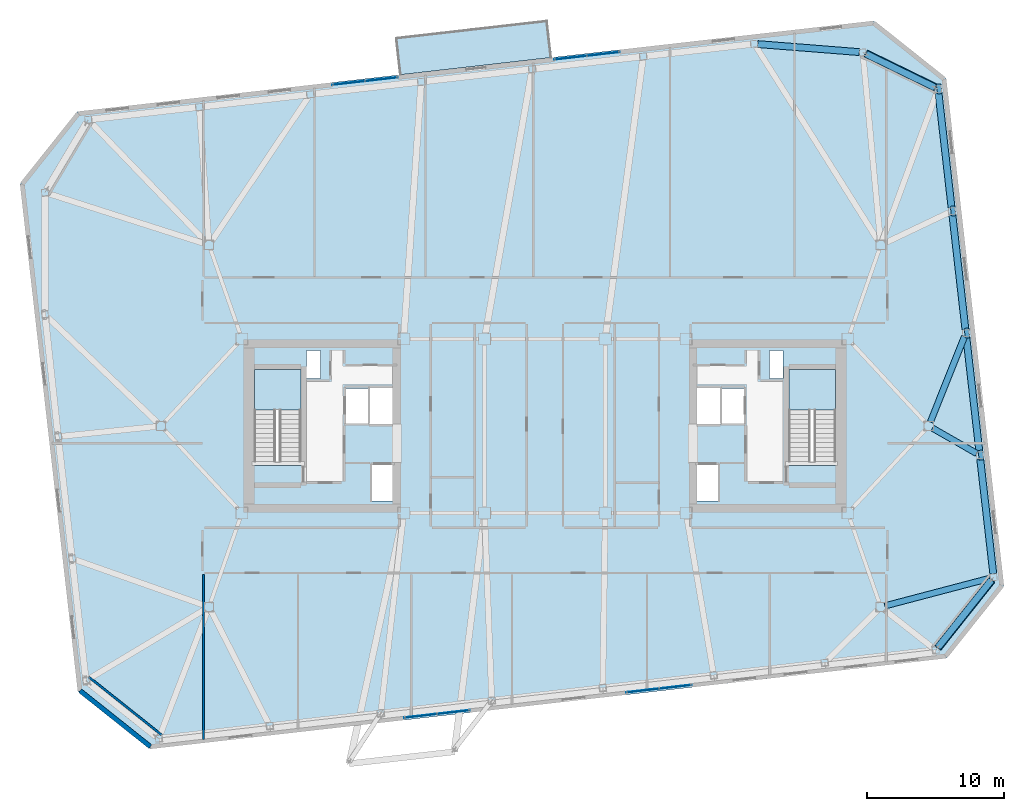
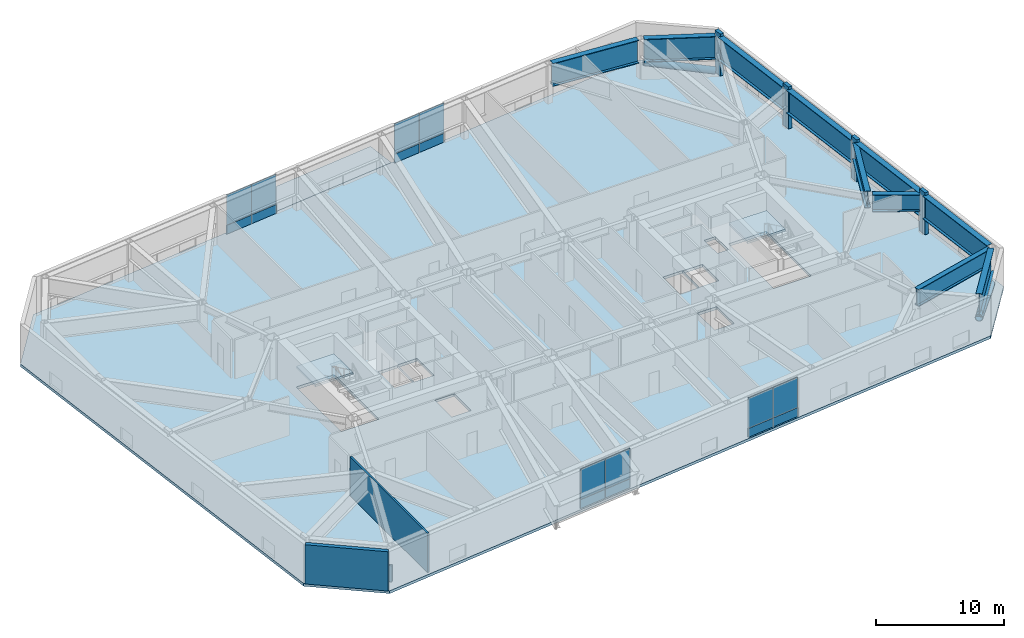
# One storey, part 11 of 20: 16 plates, 10 beams, 6 members, 4 slabs, 3 walls, 6 elements without a shape of their own.
"""IFC4 building model written with IfcOpenShell, lengths in metres."""

from ifc_helpers import new_model, si_unit, direction, frame, frame_2d, origin, origin_2d, place, context, subcontext, project, spatial, polyline, rectangle, hollow_circle, i_section, outline, extrude, material, layer, layer_set, material_profile, profile_set, type_object, element, aggregate, save


model = new_model("IFC4")

# Units and contexts
model_context = context("Model", 3, precision=1e-05, world=origin(), true_north=direction((0.0, 1.0)))
body_context = subcontext(model_context, "Body", "Model", "MODEL_VIEW")
ifc_project = project(units=[si_unit("LENGTHUNIT", "METRE"), si_unit("AREAUNIT", "SQUARE_METRE"), si_unit("VOLUMEUNIT", "CUBIC_METRE"), si_unit("PLANEANGLEUNIT", "RADIAN"), si_unit("MASSUNIT", "GRAM", prefix="KILO")], contexts=[model_context])

# Site, building, storey
site_placement = place(None, origin())
site = spatial("IfcSite", under=ifc_project, at=site_placement, CompositionType="ELEMENT")
building_placement = place(site_placement, origin())
building = spatial("IfcBuilding", under=site, at=building_placement, Name="Tavrogorsk Clinical Tower", CompositionType="ELEMENT")
storey_placement = place(building_placement, frame((0.0, 0.0, 214.199951171875)))
storey = spatial("IfcBuildingStorey", under=building, at=storey_placement, Name="L49", CompositionType="ELEMENT", Elevation=214.199951171875)

# Members
ifc_material_1 = material(Name="Structural steel S440", Category="steel")
ifc_material_profile_1 = material_profile(ifc_material_1, hollow_circle(Radius=0.304931640625, WallThickness=0.02490234375, at=origin_2d()), Name="CHS-610x25")
ifc_profile_set_1 = profile_set([ifc_material_profile_1], Name="Structural steel S440")
member_type_1 = type_object("IfcMemberType", Name="ExoBrace_CHS610", PredefinedType="BRACE", material=ifc_profile_set_1)
member_1_placement = place(storey_placement, frame((32.576171875, -11.231689453125, 0.344482421875), z_axis=(-0.613163423379, -0.770848240557, 0.172695125176), x_axis=(0.782606649981, -0.622516531029, 0.0)))
element("IfcMember", 1, at=member_1_placement, inside=storey, type_object=member_type_1, Name="L49 Corner Exoskeleton Brace S8-E1", PredefinedType="BRACE", context=body_context, shape_type="SweptSolid", body=[
    extrude(hollow_circle(Radius=0.304931640625, WallThickness=0.02490234375, at=origin_2d()), origin(), (0.0, 0.0, 1.0), 6.375732421875),
])
member_2_placement = place(storey_placement, frame((28.449462890625, 24.687744140625, 0.349365234375), z_axis=(-0.882235051021, 0.430206188911, 0.191269312157), x_axis=(-0.438298228352, -0.898829607336, 0.0)))
element("IfcMember", 2, at=member_2_placement, inside=storey, type_object=member_type_1, Name="L49 Corner Exoskeleton Brace E5-N1", PredefinedType="BRACE", context=body_context, shape_type="SweptSolid", body=[
    extrude(hollow_circle(Radius=0.304931640625, WallThickness=0.02490234375, at=origin_2d()), origin(), (0.0, 0.0, 1.0), 5.70556640625),
])
ifc_material_2 = material(Name="Precast concrete B45 with limestone cladding", Category="masonry")
ifc_material_profile_2 = material_profile(ifc_material_2, rectangle(XDim=0.320068359375, YDim=0.719970703125, at=origin_2d()), Name="LIMESTONE-FIN-320x720")
ifc_profile_set_2 = profile_set([ifc_material_profile_2], Name="Precast concrete B45 with limestone cladding")
member_type_2 = type_object("IfcMemberType", Name="LimestonePleatFin_320x720", PredefinedType="USERDEFINED", material=ifc_profile_set_2)
for number, where, z_axis, x_axis, name in (
    (3, (31.799560546875, -2.121337890625, 0.0), (0.0, 0.0, 1.0), (0.993571855677, 0.113203213768, 0.0), "L49 E Pleated Stone Fin 1"),
    (4, (30.785400390625, 6.781005859375, 0.0), (0.0, 0.0, 1.0), (0.993571855677, 0.113203213768, 0.0), "L49 E Pleated Stone Fin 2"),
    (5, (29.77099609375, 15.683349609375, 0.0), (0.0, 0.0, 1.0), (0.993571855677, 0.113203213768, 0.0), "L49 E Pleated Stone Fin 3"),
    (6, (28.756591796875, 24.585693359375, 0.0), (0.0, 0.0, 1.0), (0.993571855677, 0.113203213768, 0.0), "L49 E Pleated Stone Fin 4"),
):
    element("IfcMember", number, at=place(storey_placement, frame(where, z_axis=z_axis, x_axis=x_axis)), inside=storey, type_object=member_type_2, Name=name, ObjectType="FIN", PredefinedType="USERDEFINED", context=body_context, shape_type="SweptSolid", body=[
        extrude(rectangle(XDim=0.320068359375, YDim=0.719970703125, at=origin_2d()), origin(), (0.0, 0.0, 1.0), 4.0),
    ])

# Beams
ifc_material_3 = material(Name="Structural steel S440", Category="steel")
ifc_material_profile_3 = material_profile(ifc_material_3, i_section(OverallWidth=0.449951171875, OverallDepth=1.60009765625, WebThickness=0.031982421875, FlangeThickness=0.050048828125, at=origin_2d()), Name="DK-1600x450x32x50")
ifc_profile_set_3 = profile_set([ifc_material_profile_3], Name="Structural steel S440")
beam_type_1 = type_object("IfcBeamType", Name="TransferGirder_DK1600", PredefinedType="USERDEFINED", material=ifc_profile_set_3)
beam_1_placement = place(storey_placement, frame((24.7998046875, -13.12109375, 2.93994140625), z_axis=(0.967072149487, 0.254502372652, 0.0), x_axis=(-0.254502372652, 0.967072149487, 0.0)))
element("IfcBeam", 7, at=beam_1_placement, inside=storey, type_object=beam_type_1, Name="L49 Radial Floor Beam E1", ObjectType="GIRDER", PredefinedType="USERDEFINED", context=body_context, shape_type="SweptSolid", body=[
    extrude(i_section(OverallWidth=0.449951171875, OverallDepth=1.60009765625, WebThickness=0.031982421875, FlangeThickness=0.050048828125, at=origin_2d()), origin(), (0.0, 0.0, 1.0), 7.94677734375),
])
beam_2_placement = place(storey_placement, frame((28.26904296875, -0.154052734375, 2.93994140625), z_axis=(0.867782232017, -0.49694466271, 0.0), x_axis=(0.49694466271, 0.867782232017, 0.0)))
element("IfcBeam", 8, at=beam_2_placement, inside=storey, type_object=beam_type_1, Name="L49 Radial Floor Beam E2", ObjectType="GIRDER", PredefinedType="USERDEFINED", context=body_context, shape_type="SweptSolid", body=[
    extrude(i_section(OverallWidth=0.449951171875, OverallDepth=1.60009765625, WebThickness=0.031982421875, FlangeThickness=0.050048828125, at=origin_2d()), origin(), (0.0, 0.0, 1.0), 3.718994140625),
])
beam_3_placement = place(storey_placement, frame((28.114990234375, 0.287841796875, 2.93994140625), z_axis=(0.371052625529, 0.928611839838, 0.0), x_axis=(-0.928611839838, 0.371052625529, 0.0)))
element("IfcBeam", 9, at=beam_3_placement, inside=storey, type_object=beam_type_1, Name="L49 Radial Floor Beam E3", ObjectType="GIRDER", PredefinedType="USERDEFINED", context=body_context, shape_type="SweptSolid", body=[
    extrude(i_section(OverallWidth=0.449951171875, OverallDepth=1.60009765625, WebThickness=0.031982421875, FlangeThickness=0.050048828125, at=origin_2d()), origin(), (0.0, 0.0, 1.0), 6.724365234375),
])
ifc_material_4 = material(Name="Structural steel S440", Category="steel")
ifc_material_profile_4 = material_profile(ifc_material_4, i_section(OverallWidth=0.5, OverallDepth=2.199951171875, WebThickness=0.035888671875, FlangeThickness=0.054931640625, at=origin_2d()), Name="DK-2200x500x36x55")
ifc_profile_set_4 = profile_set([ifc_material_profile_4], Name="Structural steel S440")
beam_type_2 = type_object("IfcBeamType", Name="TransferGirder_DK2200", PredefinedType="USERDEFINED", material=ifc_profile_set_4)
beam_4_placement = place(storey_placement, frame((28.669189453125, -16.1435546875, 2.64013671875), z_axis=(0.622513813188, 0.782608811853, 0.0), x_axis=(-0.782608811853, 0.622513813188, 0.0)))
element("IfcBeam", 10, at=beam_4_placement, inside=storey, type_object=beam_type_2, Name="L49 Perimeter Spandrel S8-E1", ObjectType="GIRDER", PredefinedType="USERDEFINED", context=body_context, shape_type="SweptSolid", body=[
    extrude(i_section(OverallWidth=0.5, OverallDepth=2.199951171875, WebThickness=0.035888671875, FlangeThickness=0.054931640625, at=origin_2d()), origin(), (0.0, 0.0, 1.0), 6.272216796875),
])
for number, where, z_axis, x_axis, name in (
    (11, (32.705078125, -10.776611328125, 2.64013671875), (-0.113191877531, 0.993573147212, 0.0), (-0.993573147212, -0.113191877531, 0.0), "L49 Perimeter Spandrel E1-E2"),
    (12, (31.69091796875, -1.874267578125, 2.64013671875), (-0.113191877531, 0.993573147212, 0.0), (-0.993573147212, -0.113191877531, 0.0), "L49 Perimeter Spandrel E2-E3"),
):
    element("IfcBeam", number, at=place(storey_placement, frame(where, z_axis=z_axis, x_axis=x_axis)), inside=storey, type_object=beam_type_2, Name=name, ObjectType="GIRDER", PredefinedType="USERDEFINED", context=body_context, shape_type="SweptSolid", body=[
        extrude(i_section(OverallWidth=0.5, OverallDepth=2.199951171875, WebThickness=0.035888671875, FlangeThickness=0.054931640625, at=origin_2d()), origin(), (0.0, 0.0, 1.0), 8.444091796875),
    ])
for number, where, z_axis, x_axis, name in (
    (13, (30.676513671875, 7.0283203125, 2.64013671875), (-0.113195129234, 0.99357277676, 0.0), (-0.99357277676, -0.113195129234, 0.0), "L49 Perimeter Spandrel E3-E4"),
    (14, (29.662353515625, 15.9306640625, 2.64013671875), (-0.113223671813, 0.993569524563, 0.0), (-0.993569524563, -0.113223671813, 0.0), "L49 Perimeter Spandrel E4-E5"),
):
    element("IfcBeam", number, at=place(storey_placement, frame(where, z_axis=z_axis, x_axis=x_axis)), inside=storey, type_object=beam_type_2, Name=name, ObjectType="GIRDER", PredefinedType="USERDEFINED", context=body_context, shape_type="SweptSolid", body=[
        extrude(i_section(OverallWidth=0.5, OverallDepth=2.199951171875, WebThickness=0.035888671875, FlangeThickness=0.054931640625, at=origin_2d()), origin(), (0.0, 0.0, 1.0), 8.44384765625),
    ])
beam_5_placement = place(storey_placement, frame((28.4453125, 24.689697265625, 2.64013671875), z_axis=(-0.898811248667, 0.438335874951, 0.0), x_axis=(-0.438335874951, -0.898811248667, 0.0)))
element("IfcBeam", 15, at=beam_5_placement, inside=storey, type_object=beam_type_2, Name="L49 Perimeter Spandrel E5-N1", ObjectType="GIRDER", PredefinedType="USERDEFINED", context=body_context, shape_type="SweptSolid", body=[
    extrude(i_section(OverallWidth=0.5, OverallDepth=2.199951171875, WebThickness=0.035888671875, FlangeThickness=0.054931640625, at=origin_2d()), origin(), (0.0, 0.0, 1.0), 5.5908203125),
])
beam_6_placement = place(storey_placement, frame((22.930908203125, 27.273681640625, 2.64013671875), z_axis=(-0.996881705424, 0.078910489738, 0.0), x_axis=(-0.078910489738, -0.996881705424, 0.0)))
element("IfcBeam", 16, at=beam_6_placement, inside=storey, type_object=beam_type_2, Name="L49 Perimeter Spandrel N1-N2", ObjectType="GIRDER", PredefinedType="USERDEFINED", context=body_context, shape_type="SweptSolid", body=[
    extrude(i_section(OverallWidth=0.5, OverallDepth=2.199951171875, WebThickness=0.035888671875, FlangeThickness=0.054931640625, at=origin_2d()), origin(), (0.0, 0.0, 1.0), 7.428466796875),
])

# Curtain wall, plates
ifc_material_5 = material(Name="Anodised aluminium and triple IGU glazing", Category="aluminium")
ifc_layer_1 = layer(ifc_material_5, 0.179931640625)
ifc_layer_set_1 = layer_set([ifc_layer_1], Name="Anodised aluminium and triple IGU glazing")
curtain_wall_type_1 = type_object("IfcCurtainWallType", Name="CW3_SouthSlot", PredefinedType="NOTDEFINED", material=ifc_layer_set_1)
curtain_wall_1_placement = place(storey_placement, origin())
curtain_wall_1 = element("IfcCurtainWall", 17, at=curtain_wall_1_placement, inside=storey, type_object=curtain_wall_type_1, Name="L49 Curtain Wall CW-L49-S-SLOT-1", PredefinedType="NOTDEFINED")
ifc_material_6 = material(Name="Honed Podolsk limestone spandrel panel", Category="masonry")
ifc_layer_2 = layer(ifc_material_6, 0.080078125)
ifc_layer_set_2 = layer_set([ifc_layer_2], Name="Honed Podolsk limestone spandrel panel")
plate_type_1 = type_object("IfcPlateType", Name="CwSpandrelStonePanel_80", PredefinedType="CURTAIN_PANEL", material=ifc_layer_set_2)
plate_1_placement = place(storey_placement, frame((-9.066650390625, -21.139892578125, 0.002197265625), z_axis=(0.0, 0.0, 1.0), x_axis=(0.993571855603, 0.11320321441, 0.0)))
plate_1 = element("IfcPlate", 18, at=plate_1_placement, type_object=plate_type_1, Name="CW-L49-S-SLOT-1 Stone Spandrel Panel 1", PredefinedType="CURTAIN_PANEL", context=body_context, shape_type="SweptSolid", body=[
    extrude(rectangle(XDim=2.39208984375, YDim=0.080078125, at=origin_2d()), origin(), (0.0, 0.0, 1.0), 0.8359375),
])
plate_2_placement = place(storey_placement, frame((-6.666259765625, -20.866455078125, 0.002197265625), z_axis=(0.0, 0.0, 1.0), x_axis=(0.993571855603, 0.11320321441, 0.0)))
plate_2 = element("IfcPlate", 19, at=plate_2_placement, type_object=plate_type_1, Name="CW-L49-S-SLOT-1 Stone Spandrel Panel 2", PredefinedType="CURTAIN_PANEL", context=body_context, shape_type="SweptSolid", body=[
    extrude(rectangle(XDim=2.39208984375, YDim=0.080078125, at=origin_2d()), origin(), (0.0, 0.0, 1.0), 0.8359375),
])

curtain_wall_2_placement = place(storey_placement, origin())
curtain_wall_2 = element("IfcCurtainWall", 20, at=curtain_wall_2_placement, inside=storey, type_object=curtain_wall_type_1, Name="L49 Curtain Wall CW-L49-S-SLOT-2", PredefinedType="NOTDEFINED")
plate_3_placement = place(storey_placement, frame((7.125732421875, -19.294921875, 0.002197265625), z_axis=(0.0, 0.0, 1.0), x_axis=(0.993571855603, 0.11320321441, 0.0)))
plate_3 = element("IfcPlate", 21, at=plate_3_placement, type_object=plate_type_1, Name="CW-L49-S-SLOT-2 Stone Spandrel Panel 1", PredefinedType="CURTAIN_PANEL", context=body_context, shape_type="SweptSolid", body=[
    extrude(rectangle(XDim=2.39208984375, YDim=0.080078125, at=origin_2d()), origin(), (0.0, 0.0, 1.0), 0.8359375),
])
plate_4_placement = place(storey_placement, frame((9.526123046875, -19.021484375, 0.002197265625), z_axis=(0.0, 0.0, 1.0), x_axis=(0.993571855603, 0.11320321441, 0.0)))
plate_4 = element("IfcPlate", 22, at=plate_4_placement, type_object=plate_type_1, Name="CW-L49-S-SLOT-2 Stone Spandrel Panel 2", PredefinedType="CURTAIN_PANEL", context=body_context, shape_type="SweptSolid", body=[
    extrude(rectangle(XDim=2.39208984375, YDim=0.080078125, at=origin_2d()), origin(), (0.0, 0.0, 1.0), 0.8359375),
])

ifc_material_7 = material(Name="Anodised aluminium and triple IGU glazing", Category="aluminium")
ifc_layer_3 = layer(ifc_material_7, 0.179931640625)
ifc_layer_set_3 = layer_set([ifc_layer_3], Name="Anodised aluminium and triple IGU glazing")
curtain_wall_type_2 = type_object("IfcCurtainWallType", Name="CW2_NorthSlot", PredefinedType="NOTDEFINED", material=ifc_layer_set_3)
curtain_wall_3_placement = place(storey_placement, origin())
curtain_wall_3 = element("IfcCurtainWall", 23, at=curtain_wall_3_placement, inside=storey, type_object=curtain_wall_type_2, Name="L49 Curtain Wall CW-L49-N-SLOT-1", PredefinedType="NOTDEFINED")
plate_5_placement = place(storey_placement, frame((-11.92578125, 25.294921875, 0.002197265625), z_axis=(0.0, 0.0, 1.0), x_axis=(-0.993571855603, -0.11320321441, 0.0)))
plate_5 = element("IfcPlate", 24, at=plate_5_placement, type_object=plate_type_1, Name="CW-L49-N-SLOT-1 Stone Spandrel Panel 1", PredefinedType="CURTAIN_PANEL", context=body_context, shape_type="SweptSolid", body=[
    extrude(rectangle(XDim=2.39208984375, YDim=0.080078125, at=origin_2d()), origin(), (0.0, 0.0, 1.0), 0.8359375),
])
plate_6_placement = place(storey_placement, frame((-14.326171875, 25.021484375, 0.002197265625), z_axis=(0.0, 0.0, 1.0), x_axis=(-0.993571855603, -0.11320321441, 0.0)))
plate_6 = element("IfcPlate", 25, at=plate_6_placement, type_object=plate_type_1, Name="CW-L49-N-SLOT-1 Stone Spandrel Panel 2", PredefinedType="CURTAIN_PANEL", context=body_context, shape_type="SweptSolid", body=[
    extrude(rectangle(XDim=2.39208984375, YDim=0.080078125, at=origin_2d()), origin(), (0.0, 0.0, 1.0), 0.8359375),
])

curtain_wall_4_placement = place(storey_placement, origin())
curtain_wall_4 = element("IfcCurtainWall", 26, at=curtain_wall_4_placement, inside=storey, type_object=curtain_wall_type_2, Name="L49 Curtain Wall CW-L49-N-SLOT-2", PredefinedType="NOTDEFINED")
plate_7_placement = place(storey_placement, frame((4.266845703125, 27.139892578125, 0.002197265625), z_axis=(0.0, 0.0, 1.0), x_axis=(-0.993571855603, -0.11320321441, 0.0)))
plate_7 = element("IfcPlate", 27, at=plate_7_placement, type_object=plate_type_1, Name="CW-L49-N-SLOT-2 Stone Spandrel Panel 1", PredefinedType="CURTAIN_PANEL", context=body_context, shape_type="SweptSolid", body=[
    extrude(rectangle(XDim=2.39208984375, YDim=0.080078125, at=origin_2d()), origin(), (0.0, 0.0, 1.0), 0.8359375),
])
plate_8_placement = place(storey_placement, frame((1.8662109375, 26.866455078125, 0.002197265625), z_axis=(0.0, 0.0, 1.0), x_axis=(-0.993571855603, -0.11320321441, 0.0)))
plate_8 = element("IfcPlate", 28, at=plate_8_placement, type_object=plate_type_1, Name="CW-L49-N-SLOT-2 Stone Spandrel Panel 2", PredefinedType="CURTAIN_PANEL", context=body_context, shape_type="SweptSolid", body=[
    extrude(rectangle(XDim=2.39208984375, YDim=0.080078125, at=origin_2d()), origin(), (0.0, 0.0, 1.0), 0.8359375),
])

# Plate
ifc_material_8 = material(Name="Triple low-E argon insulated glass", Category="glass")
ifc_layer_4 = layer(ifc_material_8, 0.048095703125)
ifc_layer_set_4 = layer_set([ifc_layer_4], Name="Triple low-E argon insulated glass")
plate_type_2 = type_object("IfcPlateType", Name="CwVisionGlassPanel_48", PredefinedType="CURTAIN_PANEL", material=ifc_layer_set_4)
plate_9_placement = place(storey_placement, frame((-9.066650390625, -21.139892578125, 0.862060546875), z_axis=(0.0, 0.0, 1.0), x_axis=(0.993571855603, 0.11320321441, 0.0)))
plate_9 = element("IfcPlate", 29, at=plate_9_placement, type_object=plate_type_2, Name="CW-L49-S-SLOT-1 Glazing Panel 1", PredefinedType="CURTAIN_PANEL", context=body_context, shape_type="SweptSolid", body=[
    extrude(rectangle(XDim=2.39208984375, YDim=0.048095703125, at=origin_2d()), origin(), (0.0, 0.0, 1.0), 2.8759765625),
])

plate_10_placement = place(storey_placement, frame((-6.666259765625, -20.866455078125, 0.862060546875), z_axis=(0.0, 0.0, 1.0), x_axis=(0.993571855603, 0.11320321441, 0.0)))
plate_10 = element("IfcPlate", 30, at=plate_10_placement, type_object=plate_type_2, Name="CW-L49-S-SLOT-1 Glazing Panel 2", PredefinedType="CURTAIN_PANEL", context=body_context, shape_type="SweptSolid", body=[
    extrude(rectangle(XDim=2.39208984375, YDim=0.048095703125, at=origin_2d()), origin(), (0.0, 0.0, 1.0), 2.8759765625),
])

aggregate(curtain_wall_1, [plate_1, plate_9, plate_2, plate_10])

plate_11_placement = place(storey_placement, frame((7.125732421875, -19.294921875, 0.862060546875), z_axis=(0.0, 0.0, 1.0), x_axis=(0.993571855603, 0.11320321441, 0.0)))
plate_11 = element("IfcPlate", 31, at=plate_11_placement, type_object=plate_type_2, Name="CW-L49-S-SLOT-2 Glazing Panel 1", PredefinedType="CURTAIN_PANEL", context=body_context, shape_type="SweptSolid", body=[
    extrude(rectangle(XDim=2.39208984375, YDim=0.048095703125, at=origin_2d()), origin(), (0.0, 0.0, 1.0), 2.8759765625),
])

plate_12_placement = place(storey_placement, frame((9.526123046875, -19.021484375, 0.862060546875), z_axis=(0.0, 0.0, 1.0), x_axis=(0.993571855603, 0.11320321441, 0.0)))
plate_12 = element("IfcPlate", 32, at=plate_12_placement, type_object=plate_type_2, Name="CW-L49-S-SLOT-2 Glazing Panel 2", PredefinedType="CURTAIN_PANEL", context=body_context, shape_type="SweptSolid", body=[
    extrude(rectangle(XDim=2.39208984375, YDim=0.048095703125, at=origin_2d()), origin(), (0.0, 0.0, 1.0), 2.8759765625),
])

aggregate(curtain_wall_2, [plate_3, plate_11, plate_4, plate_12])

plate_13_placement = place(storey_placement, frame((-11.92578125, 25.294921875, 0.862060546875), z_axis=(0.0, 0.0, 1.0), x_axis=(-0.993571855603, -0.11320321441, 0.0)))
plate_13 = element("IfcPlate", 33, at=plate_13_placement, type_object=plate_type_2, Name="CW-L49-N-SLOT-1 Glazing Panel 1", PredefinedType="CURTAIN_PANEL", context=body_context, shape_type="SweptSolid", body=[
    extrude(rectangle(XDim=2.39208984375, YDim=0.048095703125, at=origin_2d()), origin(), (0.0, 0.0, 1.0), 2.8759765625),
])

plate_14_placement = place(storey_placement, frame((-14.326171875, 25.021484375, 0.862060546875), z_axis=(0.0, 0.0, 1.0), x_axis=(-0.993571855603, -0.11320321441, 0.0)))
plate_14 = element("IfcPlate", 34, at=plate_14_placement, type_object=plate_type_2, Name="CW-L49-N-SLOT-1 Glazing Panel 2", PredefinedType="CURTAIN_PANEL", context=body_context, shape_type="SweptSolid", body=[
    extrude(rectangle(XDim=2.39208984375, YDim=0.048095703125, at=origin_2d()), origin(), (0.0, 0.0, 1.0), 2.8759765625),
])

aggregate(curtain_wall_3, [plate_5, plate_13, plate_6, plate_14])

plate_15_placement = place(storey_placement, frame((4.266845703125, 27.139892578125, 0.862060546875), z_axis=(0.0, 0.0, 1.0), x_axis=(-0.993571855603, -0.11320321441, 0.0)))
plate_15 = element("IfcPlate", 35, at=plate_15_placement, type_object=plate_type_2, Name="CW-L49-N-SLOT-2 Glazing Panel 1", PredefinedType="CURTAIN_PANEL", context=body_context, shape_type="SweptSolid", body=[
    extrude(rectangle(XDim=2.39208984375, YDim=0.048095703125, at=origin_2d()), origin(), (0.0, 0.0, 1.0), 2.8759765625),
])

plate_16_placement = place(storey_placement, frame((1.8662109375, 26.866455078125, 0.862060546875), z_axis=(0.0, 0.0, 1.0), x_axis=(-0.993571855603, -0.11320321441, 0.0)))
plate_16 = element("IfcPlate", 36, at=plate_16_placement, type_object=plate_type_2, Name="CW-L49-N-SLOT-2 Glazing Panel 2", PredefinedType="CURTAIN_PANEL", context=body_context, shape_type="SweptSolid", body=[
    extrude(rectangle(XDim=2.39208984375, YDim=0.048095703125, at=origin_2d()), origin(), (0.0, 0.0, 1.0), 2.8759765625),
])

aggregate(curtain_wall_4, [plate_7, plate_15, plate_8, plate_16])

# Stair, slab
ifc_material_9 = material(Name="Concrete B60", Category="concrete")
stair_type = type_object("IfcStairType", Name="CoreStairAssembly", PredefinedType="HALF_TURN_STAIR", material=ifc_material_9)
stair_1_placement = place(storey_placement, origin())
stair_1 = element("IfcStair", 37, at=stair_1_placement, inside=storey, type_object=stair_type, Name="L49 ST-W", PredefinedType="HALF_TURN_STAIR")
ifc_material_10 = material(Name="Concrete B60", Category="concrete")
ifc_layer_5 = layer(ifc_material_10, 0.199951171875)
ifc_layer_set_5 = layer_set([ifc_layer_5], Name="Concrete B60")
slab_type_1 = type_object("IfcSlabType", Name="StairLanding_200", PredefinedType="LANDING", material=ifc_layer_set_5)
slab_1_placement = place(storey_placement, frame((0.0, 0.0, 1.800048828125)))
slab_1 = element("IfcSlab", 38, at=slab_1_placement, type_object=slab_type_1, Name="ST-W landing 1", PredefinedType="LANDING", context=body_context, shape_type="SweptSolid", body=[
    extrude(outline(polyline([(-17.800048828125, 1.1650390625), (-17.800048828125, 4.125), (-21.199951171875, 4.125), (-21.199951171875, 1.1650390625), (-17.800048828125, 1.1650390625)])), origin(), (0.0, 0.0, 1.0), 0.199951171875),
])
aggregate(stair_1, [slab_1])

stair_2_placement = place(storey_placement, origin())
stair_2 = element("IfcStair", 39, at=stair_2_placement, inside=storey, type_object=stair_type, Name="L49 ST-E", PredefinedType="HALF_TURN_STAIR")
slab_2_placement = place(storey_placement, frame((0.0, 0.0, 1.800048828125)))
slab_2 = element("IfcSlab", 40, at=slab_2_placement, type_object=slab_type_1, Name="ST-E landing 1", PredefinedType="LANDING", context=body_context, shape_type="SweptSolid", body=[
    extrude(outline(polyline([(21.199951171875, 1.1650390625), (21.199951171875, 4.125), (17.800048828125, 4.125), (17.800048828125, 1.1650390625), (21.199951171875, 1.1650390625)])), origin(), (0.0, 0.0, 1.0), 0.199951171875),
])
aggregate(stair_2, [slab_2])

# Slabs
ifc_material_11 = material(Name="Concrete B60", Category="concrete")
ifc_layer_6 = layer(ifc_material_11, 0.280029296875)
ifc_layer_set_6 = layer_set([ifc_layer_6], Name="Concrete B60")
slab_type_2 = type_object("IfcSlabType", Name="TerraceRoofSlab_280", PredefinedType="ROOF", material=ifc_layer_set_6)
slab_3_placement = place(storey_placement, frame((0.0, 0.0, -0.280029296875)))
element("IfcSlab", 41, at=slab_3_placement, inside=storey, type_object=slab_type_2, Name="Spiralling Recuperation Terrace Slab", PredefinedType="ROOF", context=body_context, shape_type="SweptSolid", body=[
    extrude(outline(polyline([(-10.92431640625, 28.347900390625), (0.20361328125, 29.61572265625), (0.514892578125, 26.883544921875), (-10.613037109375, 25.615478515625), (-10.92431640625, 28.347900390625)])), origin(), (0.0, 0.0, 1.0), 0.280029296875),
])
ifc_material_12 = material(Name="Concrete B60", Category="concrete")
ifc_layer_7 = layer(ifc_material_12, 0.260009765625)
ifc_layer_set_7 = layer_set([ifc_layer_7], Name="Concrete B60")
slab_type_3 = type_object("IfcSlabType", Name="WardSlab_260", PredefinedType="FLOOR", material=ifc_layer_set_7)
slab_4_placement = place(storey_placement, frame((0.0, 0.0, -0.260009765625)))
element("IfcSlab", 42, at=slab_4_placement, inside=storey, type_object=slab_type_3, Name="L49 Structural Slab", PredefinedType="FLOOR", context=body_context, shape_type="SweptSolid", body=[
    extrude(outline(polyline([(-28.76318359375, -23.55517578125), (29.26123046875, -16.944091796875), (33.487060546875, -11.631591796875), (29.27587890625, 25.329345703125), (23.96337890625, 29.55517578125), (-34.061279296875, 22.944091796875), (-38.287109375, 17.631591796875), (-34.075927734375, -19.329345703125), (-28.76318359375, -23.55517578125)]), holes=[polyline([(-17.800048828125, -2.8798828125), (-17.800048828125, 4.125), (-21.199951171875, 4.125), (-21.199951171875, -2.8798828125), (-17.800048828125, -2.8798828125)]), polyline([(21.199951171875, -2.8798828125), (21.199951171875, 4.125), (17.800048828125, 4.125), (17.800048828125, -2.8798828125), (21.199951171875, -2.8798828125)]), polyline([(-14.6201171875, 0.169921875), (-12.860107421875, 0.169921875), (-12.860107421875, 2.72998046875), (-14.6201171875, 2.72998046875), (-14.6201171875, 0.169921875)]), polyline([(-12.72998046875, -5.47998046875), (-10.969970703125, -5.47998046875), (-10.969970703125, -2.820068359375), (-12.72998046875, -2.820068359375), (-12.72998046875, -5.47998046875)]), polyline([(-12.840087890625, 0.1201171875), (-11.080078125, 0.1201171875), (-11.080078125, 2.780029296875), (-12.840087890625, 2.780029296875), (-12.840087890625, 0.1201171875)]), polyline([(12.860107421875, 0.169921875), (14.6201171875, 0.169921875), (14.6201171875, 2.72998046875), (12.860107421875, 2.72998046875), (12.860107421875, 0.169921875)]), polyline([(10.969970703125, -5.47998046875), (12.72998046875, -5.47998046875), (12.72998046875, -2.820068359375), (10.969970703125, -2.820068359375), (10.969970703125, -5.47998046875)]), polyline([(11.080078125, 0.1201171875), (12.840087890625, 0.1201171875), (12.840087890625, 2.780029296875), (11.080078125, 2.780029296875), (11.080078125, 0.1201171875)]), polyline([(-17.3798828125, 3.449951171875), (-16.3798828125, 3.449951171875), (-16.3798828125, 5.5), (-17.3798828125, 5.5), (-17.3798828125, 3.449951171875)]), polyline([(16.3798828125, 3.449951171875), (17.3798828125, 3.449951171875), (17.3798828125, 5.5), (16.3798828125, 5.5), (16.3798828125, 3.449951171875)])]), origin(), (0.0, 0.0, 1.0), 0.260009765625),
])

# Walls
ifc_material_13 = material(Name="Lightweight concrete blockwork B15", Category="masonry")
ifc_layer_8 = layer(ifc_material_13, 0.159912109375)
ifc_layer_set_8 = layer_set([ifc_layer_8], Name="Lightweight concrete blockwork B15")
wall_type_1 = type_object("IfcWallType", Name="PartitionWall_160", PredefinedType="PARTITIONING", material=ifc_layer_set_8)
wall_1_placement = place(storey_placement, frame((-33.265380859375, -18.310546875, 0.0), z_axis=(0.0, 0.0, 1.0), x_axis=(0.782602647064, -0.622521563328, 0.0)))
element("IfcWall", 43, at=wall_1_placement, inside=storey, type_object=wall_type_1, Name="L49 Corner Exoskeleton Brace Furring Wall 4", PredefinedType="PARTITIONING", context=body_context, shape_type="SweptSolid", body=[
    extrude(rectangle(XDim=6.788330078125, YDim=0.159912109375, at=frame_2d((3.39404296875, 0.0))), origin(), (0.0, 0.0, 1.0), 1.53515625),
])
wall_2_placement = place(storey_placement, frame((-24.89990234375, -22.873291015625, 0.0), z_axis=(0.0, 0.0, 1.0), x_axis=(0.0, 1.0, 0.0)))
element("IfcWall", 44, at=wall_2_placement, inside=storey, type_object=wall_type_1, Name="L49 SW Wing Closure Partition", PredefinedType="PARTITIONING", context=body_context, shape_type="SweptSolid", body=[
    extrude(rectangle(XDim=12.058349609375, YDim=0.159912109375, at=frame_2d((6.029296875, 0.0))), origin(), (0.0, 0.0, 1.0), 3.739990234375),
])
ifc_material_14 = material(Name="Precast concrete B45 with limestone cladding", Category="masonry")
ifc_layer_9 = layer(ifc_material_14, 0.340087890625)
ifc_layer_set_9 = layer_set([ifc_layer_9], Name="Precast concrete B45 with limestone cladding")
wall_type_2 = type_object("IfcWallType", Name="PrecastLimestoneWall_340", PredefinedType="STANDARD", material=ifc_layer_set_9)
wall_3_placement = place(storey_placement, frame((-33.906982421875, -19.31005859375, 0.0), z_axis=(0.0, 0.0, 1.0), x_axis=(0.782611787794, -0.622510071892, 0.0)))
element("IfcWall", 45, at=wall_3_placement, inside=storey, type_object=wall_type_2, Name="L49 Chamfered Corner Wall 4", PredefinedType="STANDARD", context=body_context, shape_type="SweptSolid", body=[
    extrude(rectangle(XDim=6.5478515625, YDim=0.340087890625, at=frame_2d((3.27392578125, 0.0))), origin(), (0.0, 0.0, 1.0), 3.739990234375),
])

save(model, "model.ifc")
